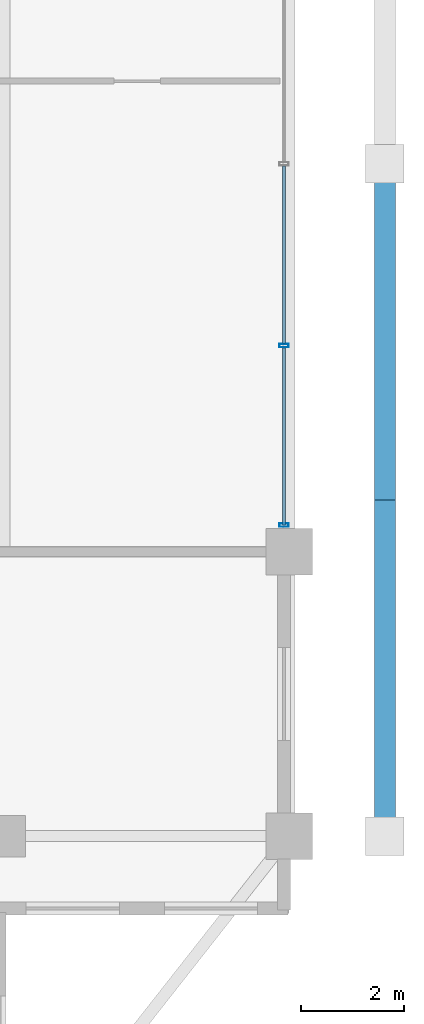
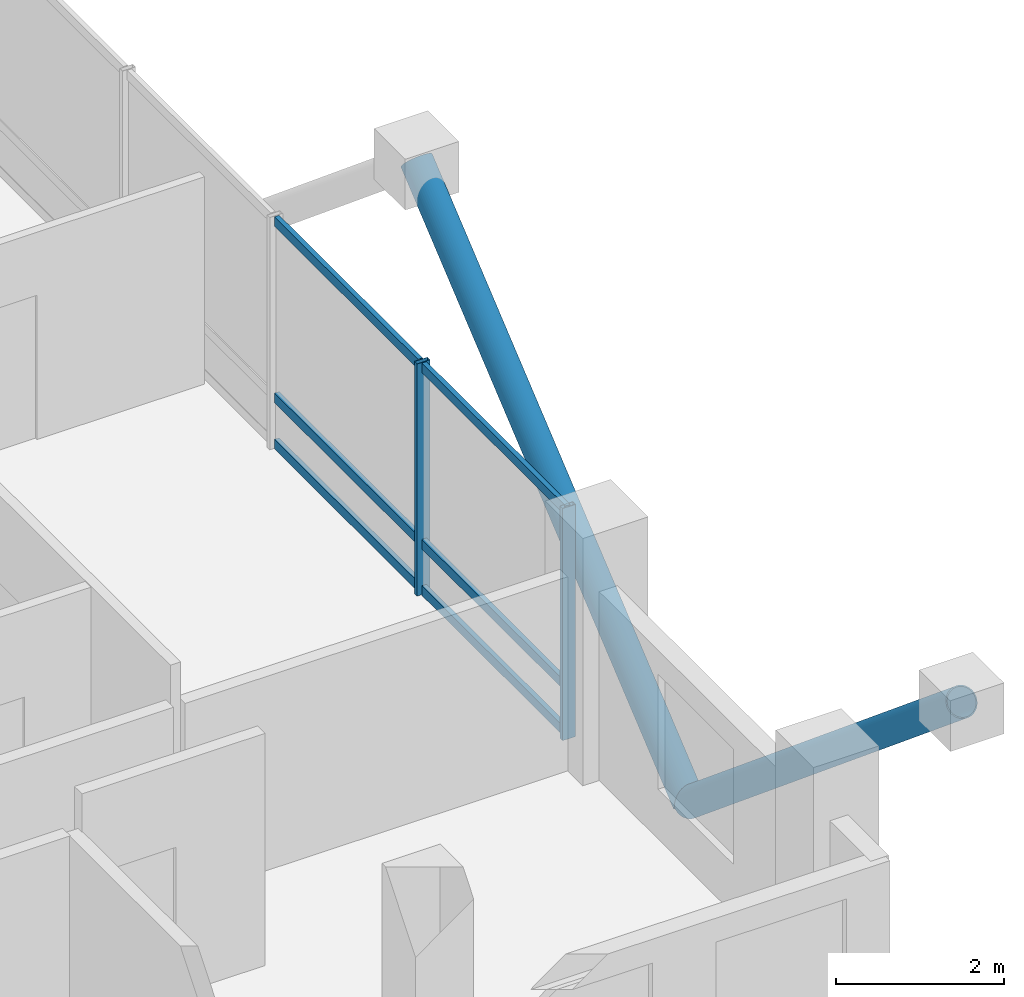
# One storey, part 11 of 23: 10 members, 1 element without a shape of its own.
"""IFC4 building model written with IfcOpenShell, lengths in metres."""

import ifcopenshell
import ifcopenshell.guid

model = None  # the IFC model being written
_history = None  # IfcOwnerHistory: only IFC2X3 demands one
_inside = {}  # id of a spatial element -> (the spatial element, [elements in it])
_under = {}  # id of a project, library or spatial element -> (it, [spatial elements below it])
_declared = {}  # id of a project -> (the project, [libraries it declares])
_typed = {}  # id of a type object -> (the type object, [elements of that type])
_made_of = {}  # id of a material, layer set ... -> (it, [elements and type objects made of it])


def new_model(schema):
    """Start an empty IFC model of exactly this schema.

    Asked for "IFC4X3", IfcOpenShell would pick the latest addendum, in which some entities
    have other attributes; the version numbers below select the first issue.
    IFC2X3 requires an IfcOwnerHistory on every rooted entity: one is made here for all.
    """
    global model, _history
    if schema == "IFC4X3":
        model = ifcopenshell.file(schema_version=(4, 3, 0, 0))
    else:
        model = ifcopenshell.file(schema=schema)
    _inside.clear()
    _under.clear()
    _declared.clear()
    _typed.clear()
    _made_of.clear()
    _history = None
    if model.schema == "IFC2X3":
        org = make("IfcOrganization", Name="unknown")
        user = make(
            "IfcPersonAndOrganization",
            ThePerson=make("IfcPerson", FamilyName="unknown"),
            TheOrganization=org,
        )
        app = make(
            "IfcApplication",
            ApplicationDeveloper=org,
            Version="unknown",
            ApplicationFullName="unknown",
            ApplicationIdentifier="unknown",
        )
        _history = make(
            "IfcOwnerHistory",
            OwningUser=user,
            OwningApplication=app,
            ChangeAction="ADDED",
            CreationDate=0,
        )
    return model


def make(cls, **values):
    """One entity of the class cls with the attributes given. An attribute that is None is left unset."""
    return model.create_entity(
        cls, **{name: value for name, value in values.items() if value is not None}
    )


def rooted(cls, **values):
    """An entity with a GlobalId (a new one), such as an element, a storey or a relation."""
    return make(cls, GlobalId=ifcopenshell.guid.new(), OwnerHistory=_history, **values)


def si_unit(unit_type, name, prefix=None):
    """IfcSIUnit, for example si_unit("LENGTHUNIT", "METRE", prefix="MILLI")."""
    return make("IfcSIUnit", UnitType=unit_type, Prefix=prefix, Name=name)


def assignment(units):
    """IfcUnitAssignment: the units of a project."""
    return None if units is None else make("IfcUnitAssignment", Units=units)


def point(xyz):
    """IfcCartesianPoint."""
    return None if xyz is None else make("IfcCartesianPoint", Coordinates=xyz)


def direction(xyz):
    """IfcDirection."""
    return None if xyz is None else make("IfcDirection", DirectionRatios=xyz)


def frame(location, z_axis=None, x_axis=None):
    """IfcAxis2Placement3D, a coordinate frame: its origin and axes. An axis left out is left unset."""
    return make(
        "IfcAxis2Placement3D",
        Location=point(location),
        Axis=direction(z_axis),
        RefDirection=direction(x_axis),
    )


def frame_2d(location, x_axis=None):
    """IfcAxis2Placement2D, a coordinate frame in the plane: its origin and x axis."""
    return make(
        "IfcAxis2Placement2D", Location=point(location), RefDirection=direction(x_axis)
    )


def origin():
    """The frame at (0, 0, 0) with its axes left unset."""
    return frame((0.0, 0.0, 0.0))


def origin_2d():
    """The frame at (0, 0) in the plane with its x axis left unset."""
    return frame_2d((0.0, 0.0))


def place(relative_to, where):
    """IfcLocalPlacement: puts the frame where relative to a parent placement (None: the world)."""
    return make(
        "IfcLocalPlacement", PlacementRelTo=relative_to, RelativePlacement=where
    )


def context(
    kind, dimensions, precision=None, world=None, true_north=None, identifier=None
):
    """IfcGeometricRepresentationContext, for example the 3D "Model" context."""
    return make(
        "IfcGeometricRepresentationContext",
        ContextIdentifier=identifier,
        ContextType=kind,
        CoordinateSpaceDimension=dimensions,
        Precision=precision,
        WorldCoordinateSystem=world,
        TrueNorth=true_north,
    )


def subcontext(parent, identifier, kind, view, scale=None):
    """IfcGeometricRepresentationSubContext, for example "Body" below "Model"."""
    return make(
        "IfcGeometricRepresentationSubContext",
        ContextIdentifier=identifier,
        ContextType=kind,
        ParentContext=parent,
        TargetScale=scale,
        TargetView=view,
    )


def project(units=None, contexts=None):
    """IfcProject with its units and contexts."""
    return rooted(
        "IfcProject",
        Name="project",
        RepresentationContexts=contexts,
        UnitsInContext=assignment(units),
    )


def spatial(cls, under=None, at=None, **own):
    """A site, building, storey or space (cls), placed at a placement, below another one or the project."""
    s = rooted(cls, ObjectPlacement=at, **own)
    if under is not None:
        _under.setdefault(under.id(), (under, []))[1].append(s)
    return s


def profile(cls, at=None, kind="AREA", **sizes):
    """A parametric profile (cls). Its sizes go by their IFC names, for example OverallWidth=200.0."""
    return make(cls, ProfileType=kind, Position=at, **sizes)


def hollow_rectangle(**sizes):
    """IfcRectangleHollowProfileDef."""
    return profile("IfcRectangleHollowProfileDef", **sizes)


def hollow_circle(**sizes):
    """IfcCircleHollowProfileDef."""
    return profile("IfcCircleHollowProfileDef", **sizes)


def extrude(swept, where, along, depth):
    """IfcExtrudedAreaSolid: the profile swept, set in the frame where, extruded along a direction by depth."""
    return make(
        "IfcExtrudedAreaSolid",
        SweptArea=swept,
        Position=where,
        ExtrudedDirection=direction(along),
        Depth=depth,
    )


def shape(context_of_items, identifier, shape_type, items):
    """IfcShapeRepresentation: the items that make up one representation, for example the "Body"."""
    return make(
        "IfcShapeRepresentation",
        ContextOfItems=context_of_items,
        RepresentationIdentifier=identifier,
        RepresentationType=shape_type,
        Items=items,
    )


def material(Name=None, Category=None):
    """IfcMaterial."""
    return make("IfcMaterial", Name=Name, Category=Category)


def layer(
    of_material, thickness, ventilated=None, Name=None, Category=None, Priority=None
):
    """IfcMaterialLayer: one layer of a wall or slab, of a material (None: an air gap)."""
    return make(
        "IfcMaterialLayer",
        Material=of_material,
        LayerThickness=thickness,
        IsVentilated=ventilated,
        Name=Name,
        Category=Category,
        Priority=Priority,
    )


def layer_set(layers, Name=None):
    """IfcMaterialLayerSet."""
    return make("IfcMaterialLayerSet", MaterialLayers=layers, LayerSetName=Name)


def material_profile(
    of_material, cross_section, Name=None, Category=None, Priority=None
):
    """IfcMaterialProfile: a cross section and its material."""
    return make(
        "IfcMaterialProfile",
        Name=Name,
        Material=of_material,
        Profile=cross_section,
        Priority=Priority,
        Category=Category,
    )


def profile_set(profiles, Name=None, composite=None):
    """IfcMaterialProfileSet."""
    return make(
        "IfcMaterialProfileSet",
        Name=Name,
        MaterialProfiles=profiles,
        CompositeProfile=composite,
    )


def made_of(thing, what):
    """Note that an element or type object is made of a material, layer set ...; save() writes the relation."""
    if what is not None:
        _made_of.setdefault(what.id(), (what, []))[1].append(thing)
    return thing


def type_object(cls, material=None, **own):
    """A type object (cls), such as IfcWallType, which elements share."""
    return made_of(rooted(cls, **own), material)


def element(
    cls,
    number,
    at=None,
    inside=None,
    cuts=None,
    type_object=None,
    material=None,
    context=None,
    identifier="Body",
    shape_type=None,
    held_by="IfcProductDefinitionShape",
    body=None,
    shapes=None,
    **own,
):
    """One element of the class cls, such as IfcWall. Its Tag is "e" and its number.

    at: its placement. inside: the storey or other place that contains it. cuts: it is an
    opening in that element (IfcRelVoidsElement). A single representation is given by context,
    identifier, shape_type and body (its items); several are given by shapes. held_by: the class
    of the entity that holds the representations. save() writes the other relations.
    """
    e = rooted(cls, Tag="e%d" % number, ObjectPlacement=at, **own)
    if body is not None:
        shapes = [shape(context, identifier, shape_type, body)]
    if shapes is not None:
        e.Representation = make(held_by, Representations=shapes)
    if inside is not None:
        _inside.setdefault(inside.id(), (inside, []))[1].append(e)
    if cuts is not None:
        rooted(
            "IfcRelVoidsElement", RelatingBuildingElement=cuts, RelatedOpeningElement=e
        )
    if type_object is not None:
        _typed.setdefault(type_object.id(), (type_object, []))[1].append(e)
    return made_of(e, material)


def aggregate(whole, parts):
    """IfcRelAggregates: a whole, such as a stair, and the parts it consists of."""
    return rooted("IfcRelAggregates", RelatingObject=whole, RelatedObjects=parts)


def save(model, path):
    """Write the relations noted so far, then the file.

    IfcRelAggregates (storeys below a building ...), IfcRelContainedInSpatialStructure (elements
    in a storey), IfcRelDefinesByType, IfcRelAssociatesMaterial and IfcRelDeclares: one each for
    every whole, place, type object, material and project.
    """
    for whole, parts in _under.values():
        aggregate(whole, parts)
    for where, things in _inside.values():
        rooted(
            "IfcRelContainedInSpatialStructure",
            RelatedElements=things,
            RelatingStructure=where,
        )
    for kind, things in _typed.values():
        rooted("IfcRelDefinesByType", RelatedObjects=things, RelatingType=kind)
    for what, things in _made_of.values():
        rooted("IfcRelAssociatesMaterial", RelatedObjects=things, RelatingMaterial=what)
    for by, libraries in _declared.values():
        rooted("IfcRelDeclares", RelatingContext=by, RelatedDefinitions=libraries)
    model.write(path)


model = new_model("IFC4")

# Units and contexts
model_context = context("Model", 3, precision=1e-05, world=origin(), true_north=direction((0.0, 1.0)))
body_context = subcontext(model_context, "Body", "Model", "MODEL_VIEW")
ifc_project = project(units=[si_unit("LENGTHUNIT", "METRE"), si_unit("AREAUNIT", "SQUARE_METRE"), si_unit("VOLUMEUNIT", "CUBIC_METRE"), si_unit("PLANEANGLEUNIT", "RADIAN"), si_unit("MASSUNIT", "GRAM", prefix="KILO")], contexts=[model_context])

# Site, building, storey
site_placement = place(None, origin())
site = spatial("IfcSite", under=ifc_project, at=site_placement, CompositionType="ELEMENT")
building_placement = place(site_placement, origin())
building = spatial("IfcBuilding", under=site, at=building_placement, Name="Barlavira Tower and Art Museum", CompositionType="ELEMENT")
storey_placement = place(building_placement, frame((0.0, 0.0, 247.5)))
storey = spatial("IfcBuildingStorey", under=building, at=storey_placement, Name="L64", CompositionType="ELEMENT", Elevation=247.5)

# Curtain wall, members
ifc_material_1 = material(Name="Low-iron coastal laminated glass", Category="glass")
ifc_layer = layer(ifc_material_1, 0.2099609375, Name="Low-iron coastal laminated glass")
ifc_layer_set = layer_set([ifc_layer], Name="Low-iron coastal laminated glass")
curtain_wall_type = type_object("IfcCurtainWallType", Name="Pale-Metal Unitised Curtain Wall Zone 4", PredefinedType="NOTDEFINED", material=ifc_layer_set)
curtain_wall_placement = place(storey_placement, origin())
curtain_wall = element("IfcCurtainWall", 1, at=curtain_wall_placement, inside=storey, type_object=curtain_wall_type, Name="L64 Curtain Wall CW4-L64-E-B3", PredefinedType="NOTDEFINED")
ifc_material_2 = material(Name="Pale anodised aluminium", Category="aluminium")
ifc_material_profile_1 = material_profile(ifc_material_2, hollow_rectangle(XDim=0.06494140625, YDim=0.179931640625, WallThickness=0.00390625, at=origin_2d()), Name="ALU-MULL 65x180x4")
ifc_profile_set_1 = profile_set([ifc_material_profile_1], Name="Pale anodised aluminium")
member_type_1 = type_object("IfcMemberType", Name="Curtain Wall Pale-Metal Mullion 65x180", PredefinedType="MULLION", material=ifc_profile_set_1)
member_1_placement = place(storey_placement, frame((16.89990234375, -6.985107421875, 0.0), z_axis=(0.0, 0.0, 1.0), x_axis=(0.0, 1.0, 0.0)))
member_1 = element("IfcMember", 2, at=member_1_placement, type_object=member_type_1, Name="CW4-L64-E-B3 Mullion 0", PredefinedType="MULLION", context=body_context, shape_type="SweptSolid", body=[
    extrude(hollow_rectangle(XDim=0.06494140625, YDim=0.179931640625, WallThickness=0.00390625, at=origin_2d()), origin(), (0.0, 0.0, 1.0), 3.3798828125),
])
member_2_placement = place(storey_placement, frame((16.89990234375, -3.514892578125, 0.0), z_axis=(0.0, 0.0, 1.0), x_axis=(0.0, 1.0, 0.0)))
member_2 = element("IfcMember", 3, at=member_2_placement, type_object=member_type_1, Name="CW4-L64-E-B3 Mullion 1", PredefinedType="MULLION", context=body_context, shape_type="SweptSolid", body=[
    extrude(hollow_rectangle(XDim=0.06494140625, YDim=0.179931640625, WallThickness=0.00390625, at=origin_2d()), origin(), (0.0, 0.0, 1.0), 3.3798828125),
])
ifc_material_profile_2 = material_profile(ifc_material_2, hollow_rectangle(XDim=0.06494140625, YDim=0.139892578125, WallThickness=0.00390625, at=origin_2d()), Name="ALU-TRAN 65x140x4")
ifc_profile_set_2 = profile_set([ifc_material_profile_2], Name="Pale anodised aluminium")
member_type_2 = type_object("IfcMemberType", Name="Curtain Wall Pale-Metal Transom 65x140", PredefinedType="USERDEFINED", material=ifc_profile_set_2)
member_3_placement = place(storey_placement, frame((16.89990234375, -6.985107421875, 0.070068359375), z_axis=(0.0, 1.0, 0.0), x_axis=(-1.0, 0.0, 0.0)))
member_3 = element("IfcMember", 4, at=member_3_placement, type_object=member_type_2, Name="CW4-L64-E-B3 Transom 0.1", ObjectType="TRANSOM", PredefinedType="USERDEFINED", context=body_context, shape_type="SweptSolid", body=[
    extrude(hollow_rectangle(XDim=0.06494140625, YDim=0.139892578125, WallThickness=0.00390625, at=origin_2d()), origin(), (0.0, 0.0, 1.0), 3.425048828125),
])
member_4_placement = place(storey_placement, frame((16.89990234375, -6.985107421875, 0.743896484375), z_axis=(0.0, 1.0, 0.0), x_axis=(-1.0, 0.0, 0.0)))
member_4 = element("IfcMember", 5, at=member_4_placement, type_object=member_type_2, Name="CW4-L64-E-B3 Transom 0.2", ObjectType="TRANSOM", PredefinedType="USERDEFINED", context=body_context, shape_type="SweptSolid", body=[
    extrude(hollow_rectangle(XDim=0.06494140625, YDim=0.139892578125, WallThickness=0.00390625, at=origin_2d()), origin(), (0.0, 0.0, 1.0), 3.425048828125),
])
member_5_placement = place(storey_placement, frame((16.89990234375, -6.985107421875, 3.31005859375), z_axis=(0.0, 1.0, 0.0), x_axis=(-1.0, 0.0, 0.0)))
member_5 = element("IfcMember", 6, at=member_5_placement, type_object=member_type_2, Name="CW4-L64-E-B3 Transom 0.3", ObjectType="TRANSOM", PredefinedType="USERDEFINED", context=body_context, shape_type="SweptSolid", body=[
    extrude(hollow_rectangle(XDim=0.06494140625, YDim=0.139892578125, WallThickness=0.00390625, at=origin_2d()), origin(), (0.0, 0.0, 1.0), 3.425048828125),
])
member_6_placement = place(storey_placement, frame((16.89990234375, -3.469970703125, 0.070068359375), z_axis=(0.0, 1.0, 0.0), x_axis=(-1.0, 0.0, 0.0)))
member_6 = element("IfcMember", 7, at=member_6_placement, type_object=member_type_2, Name="CW4-L64-E-B3 Transom 1.1", ObjectType="TRANSOM", PredefinedType="USERDEFINED", context=body_context, shape_type="SweptSolid", body=[
    extrude(hollow_rectangle(XDim=0.06494140625, YDim=0.139892578125, WallThickness=0.00390625, at=origin_2d()), origin(), (0.0, 0.0, 1.0), 3.425048828125),
])
member_7_placement = place(storey_placement, frame((16.89990234375, -3.469970703125, 0.743896484375), z_axis=(0.0, 1.0, 0.0), x_axis=(-1.0, 0.0, 0.0)))
member_7 = element("IfcMember", 8, at=member_7_placement, type_object=member_type_2, Name="CW4-L64-E-B3 Transom 1.2", ObjectType="TRANSOM", PredefinedType="USERDEFINED", context=body_context, shape_type="SweptSolid", body=[
    extrude(hollow_rectangle(XDim=0.06494140625, YDim=0.139892578125, WallThickness=0.00390625, at=origin_2d()), origin(), (0.0, 0.0, 1.0), 3.425048828125),
])
member_8_placement = place(storey_placement, frame((16.89990234375, -3.469970703125, 3.31005859375), z_axis=(0.0, 1.0, 0.0), x_axis=(-1.0, 0.0, 0.0)))
member_8 = element("IfcMember", 9, at=member_8_placement, type_object=member_type_2, Name="CW4-L64-E-B3 Transom 1.3", ObjectType="TRANSOM", PredefinedType="USERDEFINED", context=body_context, shape_type="SweptSolid", body=[
    extrude(hollow_rectangle(XDim=0.06494140625, YDim=0.139892578125, WallThickness=0.00390625, at=origin_2d()), origin(), (0.0, 0.0, 1.0), 3.425048828125),
])
aggregate(curtain_wall, [member_1, member_2, member_3, member_4, member_5, member_6, member_7, member_8])

# Members
ifc_material_3 = material(Name="Steel S355", Category="steel")
ifc_material_profile_3 = material_profile(ifc_material_3, hollow_circle(Radius=0.203125, WallThickness=0.01611328125, at=origin_2d()), Name="CHS 406.4x16.0")
ifc_profile_set_3 = profile_set([ifc_material_profile_3], Name="Steel S355")
member_type_3 = type_object("IfcMemberType", Name="Pale-Metal Exoskeleton Diagrid Tube CHS 406x16 Steel S355", PredefinedType="BRACE", material=ifc_profile_set_3)
for number, where, z_axis, x_axis, name in (
    (10, (18.85009765625, -6.5, -1.919921875), (0.0, -0.769196053329, 0.639012857104), (1.0, 0.0, 0.0), "L64 Exoskeleton Diagrid Tube E"),
    (11, (18.85009765625, -6.5, -1.919921875), (0.0, 0.769196053329, 0.639012857104), (-1.0, 0.0, 0.0), "L64 Exoskeleton Diagrid Tube E"),
):
    element("IfcMember", number, at=place(storey_placement, frame(where, z_axis=z_axis, x_axis=x_axis)), inside=storey, type_object=member_type_3, Name=name, PredefinedType="BRACE", context=body_context, shape_type="SweptSolid", body=[
        extrude(hollow_circle(Radius=0.203125, WallThickness=0.01611328125, at=origin_2d()), origin(), (0.0, 0.0, 1.0), 8.450439453125),
    ])

save(model, "model.ifc")
